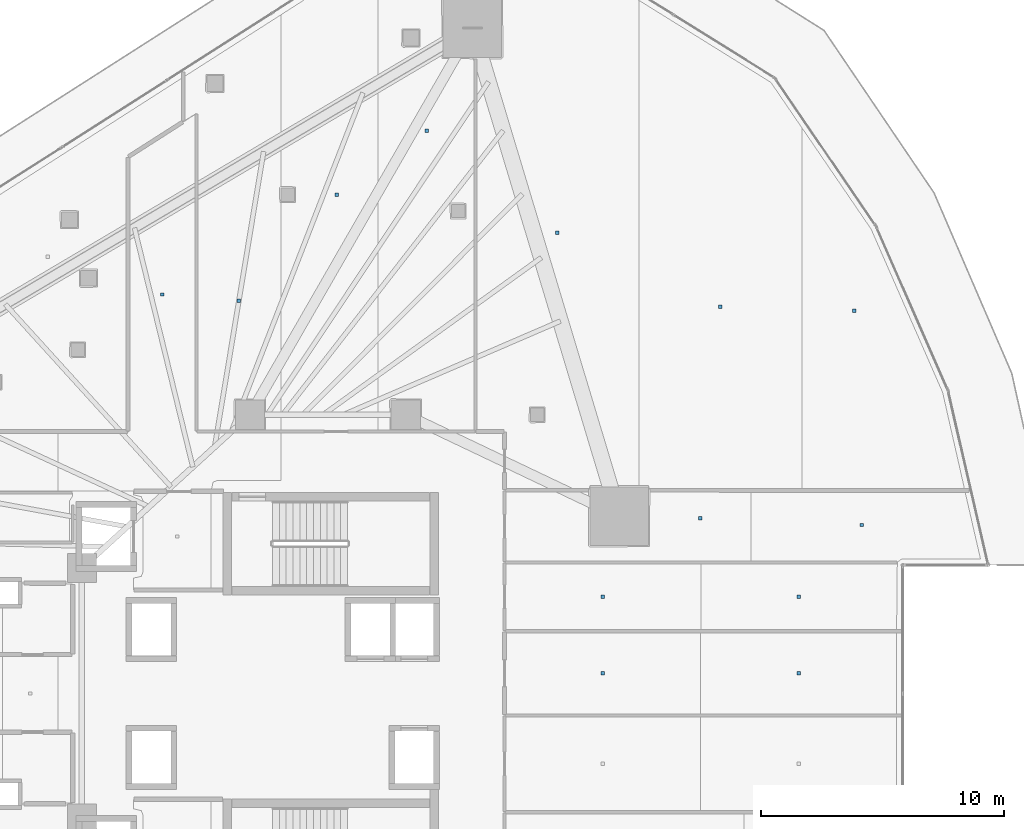
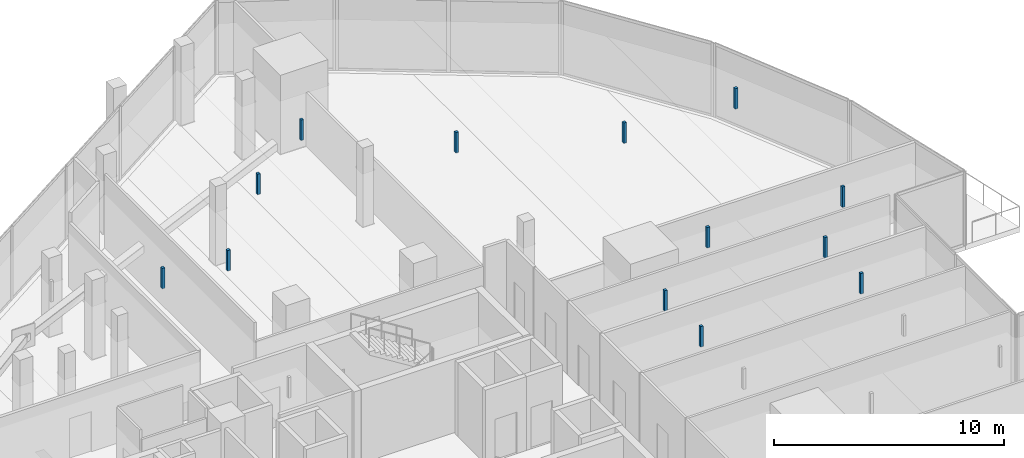
# One storey, part 43 of 52: 13 discrete accessories.
"""IFC4 building model written with IfcOpenShell, lengths in metres."""

from ifc_helpers import new_model, si_unit, direction, frame, origin, origin_2d, place, context, subcontext, project, spatial, rectangle, extrude, material, type_object, element, save


model = new_model("IFC4")

# Units and contexts
model_context = context("Model", 3, precision=1e-05, world=origin(), true_north=direction((0.0, 1.0)))
body_context = subcontext(model_context, "Body", "Model", "MODEL_VIEW")
ifc_project = project(units=[si_unit("LENGTHUNIT", "METRE"), si_unit("AREAUNIT", "SQUARE_METRE"), si_unit("VOLUMEUNIT", "CUBIC_METRE"), si_unit("PLANEANGLEUNIT", "RADIAN"), si_unit("MASSUNIT", "GRAM", prefix="KILO")], contexts=[model_context])

# Site, building, storey
site_placement = place(None, origin())
site = spatial("IfcSite", under=ifc_project, at=site_placement, CompositionType="ELEMENT")
building_placement = place(site_placement, origin())
building = spatial("IfcBuilding", under=site, at=building_placement, Name="Qorvath Tower", CompositionType="ELEMENT")
storey_placement = place(building_placement, frame((0.0, 0.0, 61.800048828125)))
storey = spatial("IfcBuildingStorey", under=building, at=storey_placement, Name="L13", CompositionType="ELEMENT", Elevation=61.800048828125)

# Discrete accessories
ifc_material = material(Name="Galvanised steel bracket", Category="steel")
discrete_accessory_type = type_object("IfcDiscreteAccessoryType", Name="DA-BRACKET", PredefinedType="BRACKET", material=ifc_material)
for number, where, z_axis, x_axis, name in (
    (1, (-27.199951171875, 16.38916015625, 2.85986328125), (0.0, 0.0, 1.0), (1.0, 0.0, 0.0), "Acoustic Ceiling Suspension Hanger T1-L13-009"),
    (2, (-24.0595703125, 16.135009765625, 2.85986328125), (0.0, 0.0, 1.0), (1.0, 0.0, 0.0), "Acoustic Ceiling Suspension Hanger T1-L13-013"),
    (3, (-20.036865234375, 20.494873046875, 2.85986328125), (0.0, 0.0, 1.0), (1.0, 0.0, 0.0), "Acoustic Ceiling Suspension Hanger T1-L13-014"),
    (4, (-16.340576171875, 23.11181640625, 2.85986328125), (0.0, 0.0, 1.0), (1.0, 0.0, 0.0), "Acoustic Ceiling Suspension Hanger T1-L13-015"),
    (5, (-10.97607421875, 18.9189453125, 2.85986328125), (0.0, 0.0, 1.0), (1.0, 0.0, 0.0), "Acoustic Ceiling Suspension Hanger T1-L13-016"),
    (6, (-4.27783203125, 15.8896484375, 2.85986328125), (0.0, 0.0, 1.0), (1.0, 0.0, 0.0), "Acoustic Ceiling Suspension Hanger T1-L13-017"),
    (7, (1.228515625, 15.72412109375, 2.85986328125), (0.0, 0.0, 1.0), (1.0, 0.0, 0.0), "Acoustic Ceiling Suspension Hanger T1-L13-018"),
    (8, (-9.111572265625, 0.83251953125, 2.85986328125), (0.0, 0.0, 1.0), (1.0, 0.0, 0.0), "Acoustic Ceiling Suspension Hanger T1-L13-032"),
    (9, (-1.06103515625, 0.83251953125, 2.85986328125), (0.0, 0.0, 1.0), (1.0, 0.0, 0.0), "Acoustic Ceiling Suspension Hanger T1-L13-033"),
    (10, (-9.10791015625, 3.9765625, 2.85986328125), (0.0, 0.0, 1.0), (1.0, 0.0, 0.0), "Acoustic Ceiling Suspension Hanger T1-L13-034"),
    (11, (-1.050048828125, 3.9765625, 2.85986328125), (0.0, 0.0, 1.0), (1.0, 0.0, 0.0), "Acoustic Ceiling Suspension Hanger T1-L13-035"),
    (12, (-5.102294921875, 7.203857421875, 2.85986328125), (0.0, 0.0, 1.0), (1.0, 0.0, 0.0), "Acoustic Ceiling Suspension Hanger T1-L13-036"),
    (13, (1.532470703125, 6.92236328125, 2.85986328125), (0.0, 0.0, 1.0), (1.0, 0.0, 0.0), "Acoustic Ceiling Suspension Hanger T1-L13-037"),
):
    element("IfcDiscreteAccessory", number, at=place(storey_placement, frame(where, z_axis=z_axis, x_axis=x_axis)), inside=storey, type_object=discrete_accessory_type, Name=name, PredefinedType="NOTDEFINED", context=body_context, shape_type="SweptSolid", body=[
        extrude(rectangle(XDim=0.139892578125, YDim=0.139892578125, at=origin_2d()), origin(), (0.0, 0.0, 1.0), 1.090087890625),
    ])

save(model, "model.ifc")
